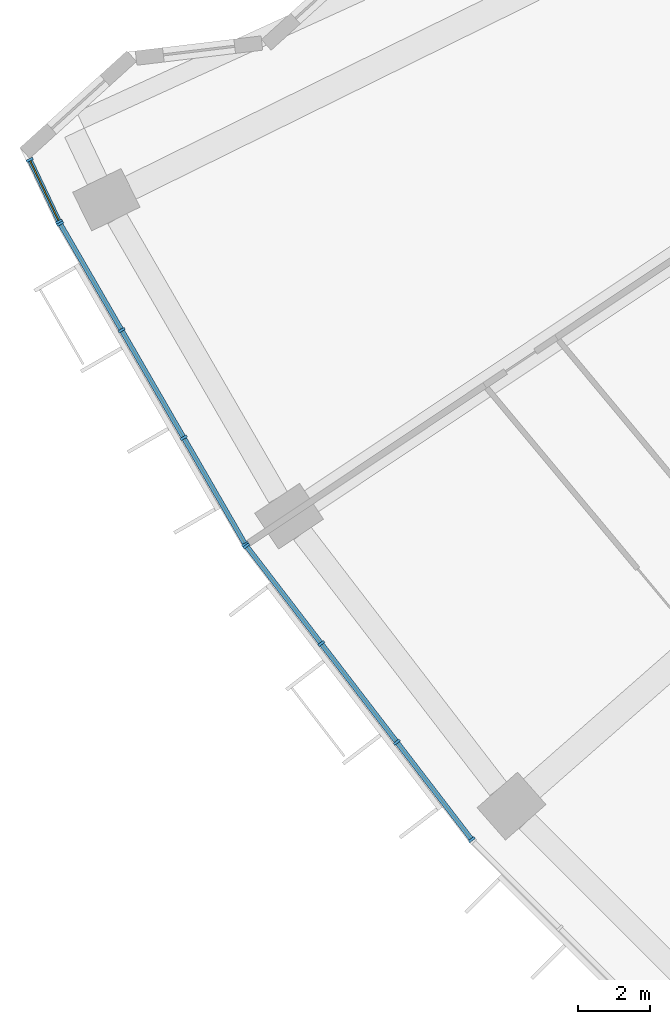
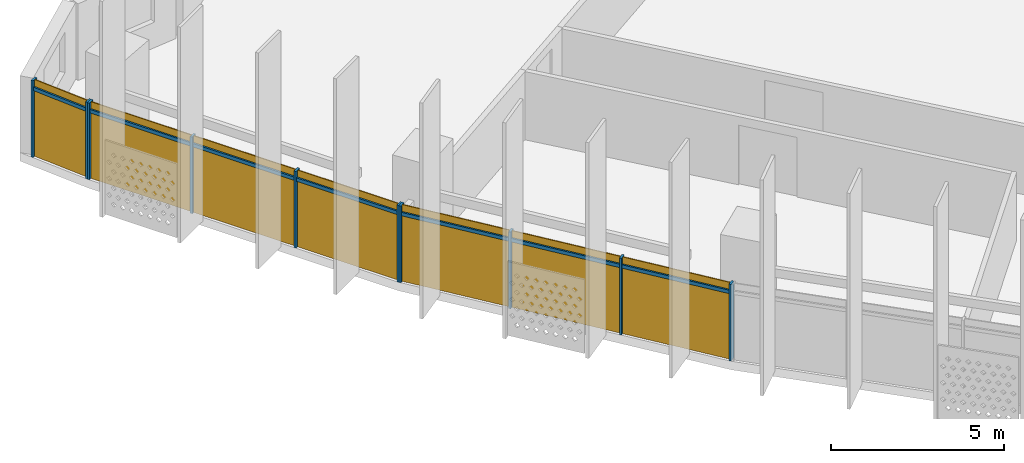
# One storey, part 20 of 30: 17 members, 3 curtain walls.
"""IFC4 building model written with IfcOpenShell, lengths in metres."""

from ifc_helpers import new_model, si_unit, direction, frame, origin, origin_2d, place, context, subcontext, project, spatial, rectangle, extrude, material, material_profile, profile_set, type_object, element, aggregate, save


model = new_model("IFC4")

# Units and contexts
model_context = context("Model", 3, precision=1e-05, world=origin(), true_north=direction((0.0, 1.0)))
body_context = subcontext(model_context, "Body", "Model", "MODEL_VIEW")
ifc_project = project(units=[si_unit("LENGTHUNIT", "METRE"), si_unit("AREAUNIT", "SQUARE_METRE"), si_unit("VOLUMEUNIT", "CUBIC_METRE"), si_unit("PLANEANGLEUNIT", "RADIAN"), si_unit("MASSUNIT", "GRAM", prefix="KILO")], contexts=[model_context])

# Member
ifc_material = material(Name="Aluminium 6063-T6 anodised", Category="aluminium")
ifc_material_profile_1 = material_profile(ifc_material, rectangle(XDim=0.199951171875, YDim=0.070068359375, at=origin_2d()))
ifc_profile_set_1 = profile_set([ifc_material_profile_1], Name="Aluminium 6063-T6 anodised")
member_type_1 = type_object("IfcMemberType", Name="Mullion 70 x 200 aluminium", PredefinedType="MULLION", material=ifc_profile_set_1)
site_placement = place(None, origin())
building_placement = place(site_placement, origin())
storey_placement = place(building_placement, frame((0.0, 0.0, 110.10009765625)))
member_1_placement = place(storey_placement, frame((-71.864013671875, -33.277587890625, 0.0), z_axis=(0.0, 0.0, 1.0), x_axis=(0.903356070098, 0.428891373912, 0.0)))
member_1 = element("IfcMember", 1, at=member_1_placement, type_object=member_type_1, Name="e-cw1-L24-out00/M00", PredefinedType="MULLION", context=body_context, shape_type="SweptSolid", body=[
    extrude(rectangle(XDim=0.199951171875, YDim=0.070068359375, at=origin_2d()), origin(), (0.0, 0.0, 1.0), 2.699951171875),
])

member_2_placement = place(storey_placement, frame((-71.046630859375, -34.9990234375, 0.0), z_axis=(0.0, 0.0, 1.0), x_axis=(0.903356070098, 0.428891373912, 0.0)))
member_2 = element("IfcMember", 2, at=member_2_placement, type_object=member_type_1, Name="e-cw1-L24-out00/M01", PredefinedType="MULLION", context=body_context, shape_type="SweptSolid", body=[
    extrude(rectangle(XDim=0.199951171875, YDim=0.070068359375, at=origin_2d()), origin(), (0.0, 0.0, 1.0), 2.699951171875),
])

member_3_placement = place(storey_placement, frame((-71.017822265625, -35.0537109375, 0.0), z_axis=(0.0, 0.0, 1.0), x_axis=(0.866025403784, 0.5, 0.0)))
member_3 = element("IfcMember", 3, at=member_3_placement, type_object=member_type_1, Name="e-cw1-L24-out01/M00", PredefinedType="MULLION", context=body_context, shape_type="SweptSolid", body=[
    extrude(rectangle(XDim=0.199951171875, YDim=0.070068359375, at=origin_2d()), origin(), (0.0, 0.0, 1.0), 2.699951171875),
])

member_4_placement = place(storey_placement, frame((-69.306640625, -38.017822265625, 0.0), z_axis=(0.0, 0.0, 1.0), x_axis=(0.866025403784, 0.5, 0.0)))
member_4 = element("IfcMember", 4, at=member_4_placement, type_object=member_type_1, Name="e-cw1-L24-out01/M01", PredefinedType="MULLION", context=body_context, shape_type="SweptSolid", body=[
    extrude(rectangle(XDim=0.199951171875, YDim=0.070068359375, at=origin_2d()), origin(), (0.0, 0.0, 1.0), 2.699951171875),
])

member_5_placement = place(storey_placement, frame((-67.577880859375, -41.01220703125, 0.0), z_axis=(0.0, 0.0, 1.0), x_axis=(0.866025403784, 0.5, 0.0)))
member_5 = element("IfcMember", 5, at=member_5_placement, type_object=member_type_1, Name="e-cw1-L24-out01/M02", PredefinedType="MULLION", context=body_context, shape_type="SweptSolid", body=[
    extrude(rectangle(XDim=0.199951171875, YDim=0.070068359375, at=origin_2d()), origin(), (0.0, 0.0, 1.0), 2.699951171875),
])

member_6_placement = place(storey_placement, frame((-65.866455078125, -43.976318359375, 0.0), z_axis=(0.0, 0.0, 1.0), x_axis=(0.866025403784, 0.5, 0.0)))
member_6 = element("IfcMember", 6, at=member_6_placement, type_object=member_type_1, Name="e-cw1-L24-out01/M03", PredefinedType="MULLION", context=body_context, shape_type="SweptSolid", body=[
    extrude(rectangle(XDim=0.199951171875, YDim=0.070068359375, at=origin_2d()), origin(), (0.0, 0.0, 1.0), 2.699951171875),
])

member_7_placement = place(storey_placement, frame((-65.8349609375, -44.023681640625, 0.0), z_axis=(0.0, 0.0, 1.0), x_axis=(0.793353340291, 0.608761429009, 0.0)))
member_7 = element("IfcMember", 7, at=member_7_placement, type_object=member_type_1, Name="e-cw1-L24-out02/M00", PredefinedType="MULLION", context=body_context, shape_type="SweptSolid", body=[
    extrude(rectangle(XDim=0.199951171875, YDim=0.070068359375, at=origin_2d()), origin(), (0.0, 0.0, 1.0), 2.699951171875),
])

member_8_placement = place(storey_placement, frame((-63.751220703125, -46.739013671875, 0.0), z_axis=(0.0, 0.0, 1.0), x_axis=(0.793353340291, 0.608761429009, 0.0)))
member_8 = element("IfcMember", 8, at=member_8_placement, type_object=member_type_1, Name="e-cw1-L24-out02/M01", PredefinedType="MULLION", context=body_context, shape_type="SweptSolid", body=[
    extrude(rectangle(XDim=0.199951171875, YDim=0.070068359375, at=origin_2d()), origin(), (0.0, 0.0, 1.0), 2.699951171875),
])

member_9_placement = place(storey_placement, frame((-61.646484375, -49.482177734375, 0.0), z_axis=(0.0, 0.0, 1.0), x_axis=(0.793353340291, 0.608761429009, 0.0)))
member_9 = element("IfcMember", 9, at=member_9_placement, type_object=member_type_1, Name="e-cw1-L24-out02/M02", PredefinedType="MULLION", context=body_context, shape_type="SweptSolid", body=[
    extrude(rectangle(XDim=0.199951171875, YDim=0.070068359375, at=origin_2d()), origin(), (0.0, 0.0, 1.0), 2.699951171875),
])

member_10_placement = place(storey_placement, frame((-59.56298828125, -52.197509765625, 0.0), z_axis=(0.0, 0.0, 1.0), x_axis=(0.793353340291, 0.608761429009, 0.0)))
member_10 = element("IfcMember", 10, at=member_10_placement, type_object=member_type_1, Name="e-cw1-L24-out02/M03", PredefinedType="MULLION", context=body_context, shape_type="SweptSolid", body=[
    extrude(rectangle(XDim=0.199951171875, YDim=0.070068359375, at=origin_2d()), origin(), (0.0, 0.0, 1.0), 2.699951171875),
])

ifc_material_profile_2 = material_profile(ifc_material, rectangle(XDim=0.139892578125, YDim=0.1201171875, at=origin_2d()))
ifc_profile_set_2 = profile_set([ifc_material_profile_2], Name="Aluminium 6063-T6 anodised")
member_type_2 = type_object("IfcMemberType", Name="Transom 120 x 140 aluminium", PredefinedType="USERDEFINED", material=ifc_profile_set_2)
member_11_placement = place(storey_placement, frame((-71.848876953125, -33.309326171875, 2.39990234375), z_axis=(0.428869581274, -0.903366416388, 0.0), x_axis=(0.903366416388, 0.428869581274, 0.0)))
member_11 = element("IfcMember", 11, at=member_11_placement, type_object=member_type_2, Name="e-cw1-L24-out00/T00", ObjectType="TRANSOM", PredefinedType="USERDEFINED", context=body_context, shape_type="SweptSolid", body=[
    extrude(rectangle(XDim=0.139892578125, YDim=0.1201171875, at=origin_2d()), origin(), (0.0, 0.0, 1.0), 1.835205078125),
])

member_12_placement = place(storey_placement, frame((-71.00048828125, -35.084228515625, 2.39990234375), z_axis=(0.50006283963, -0.865989120267, 0.0), x_axis=(0.865989120267, 0.50006283963, 0.0)))
member_12 = element("IfcMember", 12, at=member_12_placement, type_object=member_type_2, Name="e-cw1-L24-out01/T00", ObjectType="TRANSOM", PredefinedType="USERDEFINED", context=body_context, shape_type="SweptSolid", body=[
    extrude(rectangle(XDim=0.139892578125, YDim=0.1201171875, at=origin_2d()), origin(), (0.0, 0.0, 1.0), 3.3525390625),
])

member_13_placement = place(storey_placement, frame((-69.2890625, -38.048095703125, 2.39990234375), z_axis=(0.499999017107, -0.866025971257, 0.0), x_axis=(0.866025971257, 0.499999017107, 0.0)))
member_13 = element("IfcMember", 13, at=member_13_placement, type_object=member_type_2, Name="e-cw1-L24-out01/T01", ObjectType="TRANSOM", PredefinedType="USERDEFINED", context=body_context, shape_type="SweptSolid", body=[
    extrude(rectangle(XDim=0.139892578125, YDim=0.1201171875, at=origin_2d()), origin(), (0.0, 0.0, 1.0), 3.3876953125),
])

member_14_placement = place(storey_placement, frame((-67.560302734375, -41.042724609375, 2.39990234375), z_axis=(0.50000822536, -0.866020654818, 0.0), x_axis=(0.866020654818, 0.50000822536, 0.0)))
member_14 = element("IfcMember", 14, at=member_14_placement, type_object=member_type_2, Name="e-cw1-L24-out01/T02", ObjectType="TRANSOM", PredefinedType="USERDEFINED", context=body_context, shape_type="SweptSolid", body=[
    extrude(rectangle(XDim=0.139892578125, YDim=0.1201171875, at=origin_2d()), origin(), (0.0, 0.0, 1.0), 3.3525390625),
])

member_15_placement = place(storey_placement, frame((-65.8134765625, -44.05126953125, 2.39990234375), z_axis=(0.608714331426, -0.793389477316, 0.0), x_axis=(0.793389477316, 0.608714331426, 0.0)))
member_15 = element("IfcMember", 15, at=member_15_placement, type_object=member_type_2, Name="e-cw1-L24-out02/T00", ObjectType="TRANSOM", PredefinedType="USERDEFINED", context=body_context, shape_type="SweptSolid", body=[
    extrude(rectangle(XDim=0.139892578125, YDim=0.1201171875, at=origin_2d()), origin(), (0.0, 0.0, 1.0), 3.3525390625),
])

member_16_placement = place(storey_placement, frame((-63.72998046875, -46.766845703125, 2.39990234375), z_axis=(0.608773427772, -0.793344133173, 0.0), x_axis=(0.793344133173, 0.608773427772, 0.0)))
member_16 = element("IfcMember", 16, at=member_16_placement, type_object=member_type_2, Name="e-cw1-L24-out02/T01", ObjectType="TRANSOM", PredefinedType="USERDEFINED", context=body_context, shape_type="SweptSolid", body=[
    extrude(rectangle(XDim=0.139892578125, YDim=0.1201171875, at=origin_2d()), origin(), (0.0, 0.0, 1.0), 3.387451171875),
])

member_17_placement = place(storey_placement, frame((-61.625244140625, -49.509765625, 2.39990234375), z_axis=(0.608760167055, -0.793354308621, 0.0), x_axis=(0.793354308621, 0.608760167055, 0.0)))
member_17 = element("IfcMember", 17, at=member_17_placement, type_object=member_type_2, Name="e-cw1-L24-out02/T02", ObjectType="TRANSOM", PredefinedType="USERDEFINED", context=body_context, shape_type="SweptSolid", body=[
    extrude(rectangle(XDim=0.139892578125, YDim=0.1201171875, at=origin_2d()), origin(), (0.0, 0.0, 1.0), 3.352783203125),
])

# Site, building, storey
site = spatial("IfcSite", under=ifc_project, at=site_placement, CompositionType="ELEMENT")
building = spatial("IfcBuilding", under=site, at=building_placement, Name="Qamariyya Broadcast Tower", CompositionType="ELEMENT")
storey = spatial("IfcBuildingStorey", under=building, at=storey_placement, Name="L24", CompositionType="ELEMENT", Elevation=110.10009765625)

# Curtain wall
curtain_wall_type = type_object("IfcCurtainWallType", Name="Unitised curtain wall, anodised aluminium", PredefinedType="NOTDEFINED", material=ifc_material)
curtain_wall_1_placement = place(storey_placement, origin())
curtain_wall_1 = element("IfcCurtainWall", 18, at=curtain_wall_1_placement, inside=storey, type_object=curtain_wall_type, Name="e-cw1-L24-out00", PredefinedType="NOTDEFINED", context=body_context, shape_type="SweptSolid", body=[
    extrude(rectangle(XDim=1.835205078125, YDim=0.031982421875, at=origin_2d()), frame((-71.455322265625, -34.13818359375, 0.0), x_axis=(0.428877809517, -0.903362510017, 0.0)), (0.0, 0.0, 1.0), 2.340087890625),
    extrude(rectangle(XDim=1.835205078125, YDim=0.031982421875, at=origin_2d()), frame((-71.455322265625, -34.13818359375, 2.4599609375), x_axis=(0.428877809517, -0.903362510017, 0.0)), (0.0, 0.0, 1.0), 0.239990234375),
])

aggregate(curtain_wall_1, [member_1, member_2, member_11])

curtain_wall_2_placement = place(storey_placement, origin())
curtain_wall_2 = element("IfcCurtainWall", 19, at=curtain_wall_2_placement, inside=storey, type_object=curtain_wall_type, Name="e-cw1-L24-out01", PredefinedType="NOTDEFINED", context=body_context, shape_type="SweptSolid", body=[
    extrude(rectangle(XDim=3.352783203125, YDim=0.031982421875, at=origin_2d()), frame((-70.162109375, -36.535888671875, 0.0), x_axis=(0.499996813733, -0.866027243369, 0.0)), (0.0, 0.0, 1.0), 2.340087890625),
    extrude(rectangle(XDim=3.352783203125, YDim=0.031982421875, at=origin_2d()), frame((-70.162109375, -36.535888671875, 2.4599609375), x_axis=(0.499996813733, -0.866027243369, 0.0)), (0.0, 0.0, 1.0), 0.239990234375),
    extrude(rectangle(XDim=3.3876953125, YDim=0.031982421875, at=origin_2d()), frame((-68.442138671875, -39.51513671875, 0.0), x_axis=(0.499996813733, -0.866027243369, 0.0)), (0.0, 0.0, 1.0), 2.340087890625),
    extrude(rectangle(XDim=3.3876953125, YDim=0.031982421875, at=origin_2d()), frame((-68.442138671875, -39.51513671875, 2.4599609375), x_axis=(0.499996813733, -0.866027243369, 0.0)), (0.0, 0.0, 1.0), 0.239990234375),
    extrude(rectangle(XDim=3.352783203125, YDim=0.031982421875, at=origin_2d()), frame((-66.72216796875, -42.494384765625, 0.0), x_axis=(0.499996813733, -0.866027243369, 0.0)), (0.0, 0.0, 1.0), 2.340087890625),
    extrude(rectangle(XDim=3.352783203125, YDim=0.031982421875, at=origin_2d()), frame((-66.72216796875, -42.494384765625, 2.4599609375), x_axis=(0.499996813733, -0.866027243369, 0.0)), (0.0, 0.0, 1.0), 0.239990234375),
])

aggregate(curtain_wall_2, [member_3, member_4, member_5, member_6, member_12, member_13, member_14])

curtain_wall_3_placement = place(storey_placement, origin())
curtain_wall_3 = element("IfcCurtainWall", 20, at=curtain_wall_3_placement, inside=storey, type_object=curtain_wall_type, Name="e-cw1-L24-out02", PredefinedType="NOTDEFINED", context=body_context, shape_type="SweptSolid", body=[
    extrude(rectangle(XDim=3.352783203125, YDim=0.031982421875, at=origin_2d()), frame((-64.793212890625, -45.38134765625, 0.0), x_axis=(0.608760568165, -0.793354000839, 0.0)), (0.0, 0.0, 1.0), 2.340087890625),
    extrude(rectangle(XDim=3.352783203125, YDim=0.031982421875, at=origin_2d()), frame((-64.793212890625, -45.38134765625, 2.4599609375), x_axis=(0.608760568165, -0.793354000839, 0.0)), (0.0, 0.0, 1.0), 0.239990234375),
    extrude(rectangle(XDim=3.3876953125, YDim=0.031982421875, at=origin_2d()), frame((-62.69873046875, -48.110595703125, 0.0), x_axis=(0.608760568165, -0.793354000839, 0.0)), (0.0, 0.0, 1.0), 2.340087890625),
    extrude(rectangle(XDim=3.3876953125, YDim=0.031982421875, at=origin_2d()), frame((-62.69873046875, -48.110595703125, 2.4599609375), x_axis=(0.608760568165, -0.793354000839, 0.0)), (0.0, 0.0, 1.0), 0.239990234375),
    extrude(rectangle(XDim=3.352783203125, YDim=0.031982421875, at=origin_2d()), frame((-60.6044921875, -50.83984375, 0.0), x_axis=(0.608760568165, -0.793354000839, 0.0)), (0.0, 0.0, 1.0), 2.340087890625),
    extrude(rectangle(XDim=3.352783203125, YDim=0.031982421875, at=origin_2d()), frame((-60.6044921875, -50.83984375, 2.4599609375), x_axis=(0.608760568165, -0.793354000839, 0.0)), (0.0, 0.0, 1.0), 0.239990234375),
])

aggregate(curtain_wall_3, [member_7, member_8, member_9, member_10, member_15, member_16, member_17])

save(model, "model.ifc")
